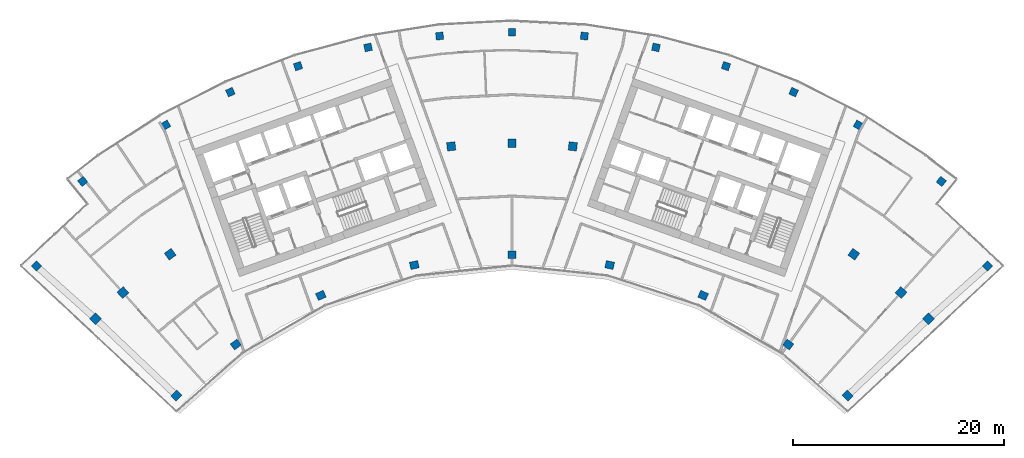
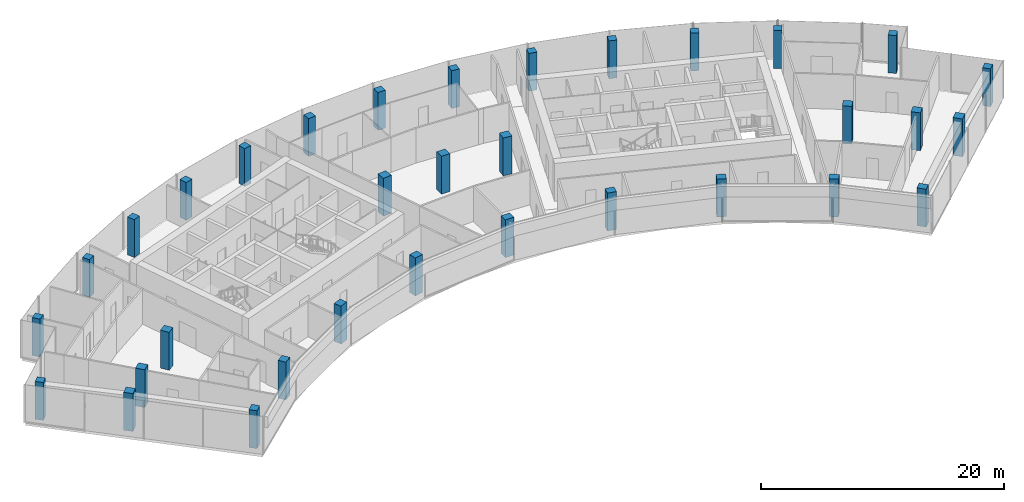
# One storey, part 1 of 18: 33 columns.
"""IFC4 building model written with IfcOpenShell, lengths in metres."""

from ifc_helpers import new_model, si_unit, direction, frame, origin, origin_2d, place, context, subcontext, project, spatial, rectangle, extrude, material, material_profile, profile_set, type_object, element, save


model = new_model("IFC4")

# Units and contexts
model_context = context("Model", 3, precision=1e-05, world=origin(), true_north=direction((0.0, 1.0)))
body_context = subcontext(model_context, "Body", "Model", "MODEL_VIEW")
ifc_project = project(units=[si_unit("LENGTHUNIT", "METRE"), si_unit("AREAUNIT", "SQUARE_METRE"), si_unit("VOLUMEUNIT", "CUBIC_METRE"), si_unit("PLANEANGLEUNIT", "RADIAN"), si_unit("MASSUNIT", "GRAM", prefix="KILO")], contexts=[model_context])

# Site, building, storey
site_placement = place(None, origin())
site = spatial("IfcSite", under=ifc_project, at=site_placement, CompositionType="ELEMENT")
building_placement = place(site_placement, origin())
building = spatial("IfcBuilding", under=site, at=building_placement, Name="Stone Belt Terrace Tower", CompositionType="ELEMENT")
storey_placement = place(building_placement, frame((0.0, 0.0, 261.800048828125)))
storey = spatial("IfcBuildingStorey", under=building, at=storey_placement, Name="L63", CompositionType="ELEMENT", Elevation=261.800048828125)

# Columns
ifc_material = material(Name="Concrete B60", Category="concrete")
ifc_material_profile_1 = material_profile(ifc_material, rectangle(XDim=0.699951171875, YDim=0.699951171875, at=origin_2d()), Name="RC 700x700")
ifc_profile_set_1 = profile_set([ifc_material_profile_1], Name="Concrete B60")
column_type_1 = type_object("IfcColumnType", Name="Column RC 700x700 B60", PredefinedType="COLUMN", material=ifc_profile_set_1)
for number, where, z_axis, x_axis, name in (
    (1, (-44.97705078125, 43.381103515625, 0.0), (0.0, 0.0, 1.0), (0.694221333646, 0.719761585465, 0.0), "Column L63 RA"),
    (2, (44.97705078125, 43.381103515625, 0.0), (0.0, 0.0, 1.0), (0.694221333646, -0.719761585465, 0.0), "Column L63 RB"),
    (3, (-40.605712890625, 51.380615234375, 0.0), (0.0, 0.0, 1.0), (0.784569718703, 0.620040608746, 0.0), "Column L63 RNA"),
    (4, (-32.744384765625, 56.715087890625, 0.0), (0.0, 0.0, 1.0), (0.866025403784, 0.5, 0.0), "Column L63 R17"),
    (5, (-26.63671875, 59.8271484375, 0.0), (0.0, 0.0, 1.0), (0.913545457643, 0.406736643076, 0.0), "Column L63 R18"),
    (6, (-20.2373046875, 62.28369140625, 0.0), (0.0, 0.0, 1.0), (0.951056516295, 0.309016994375, 0.0), "Column L63 R19"),
    (7, (-13.615966796875, 64.057861328125, 0.0), (0.0, 0.0, 1.0), (0.978147600734, 0.207911690818, 0.0), "Column L63 R20"),
    (8, (-6.845458984375, 65.130126953125, 0.0), (0.0, 0.0, 1.0), (0.994521895368, 0.104528463268, 0.0), "Column L63 R21"),
    (9, (0.0, 65.489013671875, 0.0), (0.0, 0.0, 1.0), (1.0, 0.0, 0.0), "Column L63 R22"),
    (10, (6.845458984375, 65.130126953125, 0.0), (0.0, 0.0, 1.0), (0.994521895368, -0.104528463268, 0.0), "Column L63 R23"),
    (11, (13.615966796875, 64.057861328125, 0.0), (0.0, 0.0, 1.0), (0.978147600734, -0.207911690818, 0.0), "Column L63 R24"),
    (12, (20.2373046875, 62.28369140625, 0.0), (0.0, 0.0, 1.0), (0.951056516295, -0.309016994375, 0.0), "Column L63 R25"),
    (13, (26.63671875, 59.8271484375, 0.0), (0.0, 0.0, 1.0), (0.913545457643, -0.406736643076, 0.0), "Column L63 R26"),
    (14, (32.744384765625, 56.715087890625, 0.0), (0.0, 0.0, 1.0), (0.866025403784, -0.5, 0.0), "Column L63 R27"),
    (15, (40.605712890625, 51.380615234375, 0.0), (0.0, 0.0, 1.0), (0.784569718703, -0.620040608746, 0.0), "Column L63 RNB"),
):
    element("IfcColumn", number, at=place(storey_placement, frame(where, z_axis=z_axis, x_axis=x_axis)), inside=storey, type_object=column_type_1, Name=name, PredefinedType="COLUMN", context=body_context, shape_type="SweptSolid", body=[
        extrude(rectangle(XDim=0.699951171875, YDim=0.699951171875, at=origin_2d()), origin(), (0.0, 0.0, 1.0), 3.800048828125),
    ])
ifc_material_profile_2 = material_profile(ifc_material, rectangle(XDim=0.800048828125, YDim=0.699951171875, at=origin_2d()), Name="RC 800x700")
ifc_profile_set_2 = profile_set([ifc_material_profile_2], Name="Concrete B60")
column_type_2 = type_object("IfcColumnType", Name="Column RC 800x700 B60", PredefinedType="COLUMN", material=ifc_profile_set_2)
for number, where, z_axis, x_axis, name in (
    (16, (-31.73486328125, 31.11669921875, 0.0), (0.0, 0.0, 1.0), (0.700119596097, 0.714025595592, 0.0), "Column L63 PA"),
    (17, (-26.1240234375, 35.956787109375, 0.0), (0.0, 0.0, 1.0), (0.809016994375, 0.587785252292, 0.0), "Column L63 P16"),
    (18, (-18.077392578125, 40.6025390625, 0.0), (0.0, 0.0, 1.0), (0.913545457643, 0.406736643076, 0.0), "Column L63 P18"),
    (19, (-9.240478515625, 43.473876953125, 0.0), (0.0, 0.0, 1.0), (0.978147600734, 0.207911690818, 0.0), "Column L63 P20"),
    (20, (0.0, 44.445068359375, 0.0), (0.0, 0.0, 1.0), (1.0, 0.0, 0.0), "Column L63 P22"),
    (21, (9.240478515625, 43.473876953125, 0.0), (0.0, 0.0, 1.0), (0.978147600734, -0.207911690818, 0.0), "Column L63 P24"),
    (22, (18.077392578125, 40.6025390625, 0.0), (0.0, 0.0, 1.0), (0.913545457643, -0.406736643076, 0.0), "Column L63 P26"),
    (23, (26.1240234375, 35.956787109375, 0.0), (0.0, 0.0, 1.0), (0.809016994375, -0.587785252292, 0.0), "Column L63 P28"),
    (24, (31.73486328125, 31.11669921875, 0.0), (0.0, 0.0, 1.0), (0.700119596097, -0.714025595592, 0.0), "Column L63 PB"),
):
    element("IfcColumn", number, at=place(storey_placement, frame(where, z_axis=z_axis, x_axis=x_axis)), inside=storey, type_object=column_type_2, Name=name, PredefinedType="COLUMN", context=body_context, shape_type="SweptSolid", body=[
        extrude(rectangle(XDim=0.800048828125, YDim=0.699951171875, at=origin_2d()), origin(), (0.0, 0.0, 1.0), 3.800048828125),
    ])
ifc_material_profile_3 = material_profile(ifc_material, rectangle(XDim=0.800048828125, YDim=0.800048828125, at=origin_2d()), Name="RC 800x800")
ifc_profile_set_3 = profile_set([ifc_material_profile_3], Name="Concrete B60")
column_type_3 = type_object("IfcColumnType", Name="Column RC 800x800 B60", PredefinedType="COLUMN", material=ifc_profile_set_3)
for number, where, z_axis, x_axis, name in (
    (25, (-39.38818359375, 38.386962890625, 0.0), (0.0, 0.0, 1.0), (0.697944216238, 0.716152128406, 0.0), "Column L63 QA"),
    (26, (-36.80224609375, 40.873046875, 0.0), (0.0, 0.0, 1.0), (0.743144825477, 0.669130606359, 0.0), "Column L63 Q15"),
    (27, (-32.328125, 44.495849609375, 0.0), (0.0, 0.0, 1.0), (0.809016994375, 0.587785252292, 0.0), "Column L63 Q16"),
    (28, (-5.7490234375, 54.69873046875, 0.0), (0.0, 0.0, 1.0), (0.994521895368, 0.104528463268, 0.0), "Column L63 Q21"),
    (29, (0.0, 55.0, 0.0), (0.0, 0.0, 1.0), (1.0, 0.0, 0.0), "Column L63 Q22"),
    (30, (5.7490234375, 54.69873046875, 0.0), (0.0, 0.0, 1.0), (0.994521895368, -0.104528463268, 0.0), "Column L63 Q23"),
    (31, (32.328125, 44.495849609375, 0.0), (0.0, 0.0, 1.0), (0.809016994375, -0.587785252292, 0.0), "Column L63 Q28"),
    (32, (36.80224609375, 40.873046875, 0.0), (0.0, 0.0, 1.0), (0.743144825477, -0.669130606359, 0.0), "Column L63 Q29"),
    (33, (39.38818359375, 38.386962890625, 0.0), (0.0, 0.0, 1.0), (0.697944216238, -0.716152128406, 0.0), "Column L63 QB"),
):
    element("IfcColumn", number, at=place(storey_placement, frame(where, z_axis=z_axis, x_axis=x_axis)), inside=storey, type_object=column_type_3, Name=name, PredefinedType="COLUMN", context=body_context, shape_type="SweptSolid", body=[
        extrude(rectangle(XDim=0.800048828125, YDim=0.800048828125, at=origin_2d()), origin(), (0.0, 0.0, 1.0), 3.800048828125),
    ])

save(model, "model.ifc")
